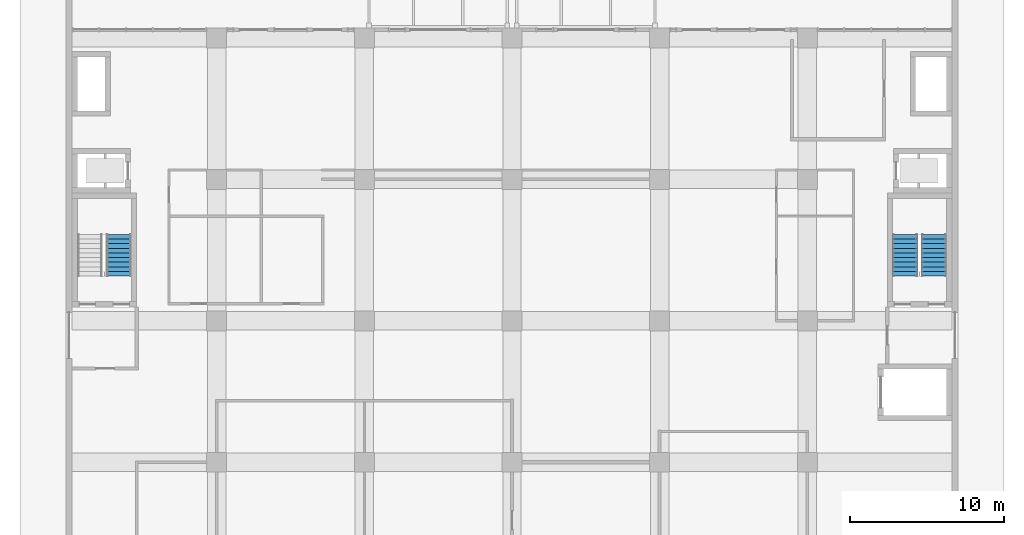
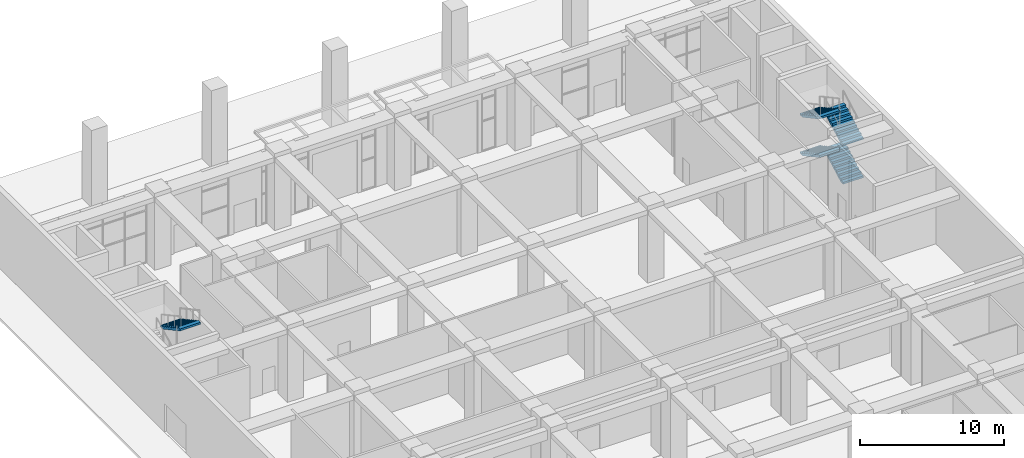
# One storey, part 25 of 45: 5 stair flights, 2 elements without a shape of their own.
"""IFC4 building model written with IfcOpenShell, lengths in metres."""

from ifc_helpers import new_model, si_unit, direction, frame, origin, place, context, subcontext, project, spatial, polyline, outline, extrude, material, type_object, element, aggregate, save


model = new_model("IFC4")

# Units and contexts
model_context = context("Model", 3, precision=1e-05, world=origin(), true_north=direction((0.0, 1.0)))
body_context = subcontext(model_context, "Body", "Model", "MODEL_VIEW")
ifc_project = project(units=[si_unit("LENGTHUNIT", "METRE"), si_unit("AREAUNIT", "SQUARE_METRE"), si_unit("VOLUMEUNIT", "CUBIC_METRE"), si_unit("PLANEANGLEUNIT", "RADIAN"), si_unit("MASSUNIT", "GRAM", prefix="KILO")], contexts=[model_context])

# Site, building, storey
site_placement = place(None, origin())
site = spatial("IfcSite", under=ifc_project, at=site_placement, CompositionType="ELEMENT")
building_placement = place(site_placement, origin())
building = spatial("IfcBuilding", under=site, at=building_placement, Name="Nzadi Deep Aquarium and Research Tower", CompositionType="ELEMENT")
storey_placement = place(building_placement, origin())
storey = spatial("IfcBuildingStorey", under=building, at=storey_placement, Name="G", CompositionType="ELEMENT", Elevation=0.0)

# Stair, stair flight
ifc_material_1 = material(Name="Concrete C35/45", Category="concrete")
stair_type = type_object("IfcStairType", Name="STAIR RETURN 3000", PredefinedType="NOTDEFINED", material=ifc_material_1)
stair_1_placement = place(storey_placement, origin())
stair_1 = element("IfcStair", 1, at=stair_1_placement, inside=storey, type_object=stair_type, Name="Stair ST-Z3-W G", PredefinedType="DOUBLE_RETURN_STAIR")
ifc_material_2 = material(Name="Concrete C35/45", Category="concrete")
stair_flight_type = type_object("IfcStairFlightType", Name="FLIGHT 1625 10 RISERS 162.5", PredefinedType="STRAIGHT", material=ifc_material_2)
stair_flight_1_placement = place(storey_placement, frame((3.237548828125, 118.81005859375, 4.875), z_axis=(0.0, 0.0, 1.0), x_axis=(0.0, -1.0, 0.0)))
stair_flight_1 = element("IfcStairFlight", 2, at=stair_flight_1_placement, type_object=stair_flight_type, Name="ST-Z3-W flight 4", NumberOfRisers=10, NumberOfTreads=9, PredefinedType="STRAIGHT", RiserHeight=0.1625, TreadLength=0.3, context=body_context, shape_type="SweptSolid", body=[
    extrude(outline(polyline([(0.0, 0.0), (0.0, 0.16259765625), (0.300048828125, 0.16259765625), (0.300048828125, 0.324951171875), (0.60009765625, 0.324951171875), (0.60009765625, 0.487548828125), (0.89990234375, 0.487548828125), (0.89990234375, 0.64990234375), (1.199951171875, 0.64990234375), (1.199951171875, 0.8125), (1.5, 0.8125), (1.5, 0.97509765625), (1.800048828125, 0.97509765625), (1.800048828125, 1.137451171875), (2.10009765625, 1.137451171875), (2.10009765625, 1.300048828125), (2.39990234375, 1.300048828125), (2.39990234375, 1.46240234375), (2.699951171875, 1.46240234375), (2.699951171875, 1.625), (2.699951171875, 1.2919921875), (0.314697265625, 0.0), (0.0, 0.0)])), frame((0.0, 0.8125, 0.0), z_axis=(0.0, -1.0, 0.0), x_axis=(1.0, 0.0, 0.0)), (0.0, 0.0, 1.0), 1.625),
])
aggregate(stair_1, [stair_flight_1])

# Stair, stair flights
stair_2_placement = place(storey_placement, origin())
stair_2 = element("IfcStair", 3, at=stair_2_placement, inside=storey, type_object=stair_type, Name="Stair ST-Z3-E G", PredefinedType="DOUBLE_RETURN_STAIR")
stair_flight_2_placement = place(storey_placement, frame((56.237548828125, 116.110107421875, 0.0), z_axis=(0.0, 0.0, 1.0), x_axis=(0.0, 1.0, 0.0)))
stair_flight_2 = element("IfcStairFlight", 4, at=stair_flight_2_placement, type_object=stair_flight_type, Name="ST-Z3-E flight 1", NumberOfRisers=10, NumberOfTreads=9, PredefinedType="STRAIGHT", RiserHeight=0.1625, TreadLength=0.3, context=body_context, shape_type="SweptSolid", body=[
    extrude(outline(polyline([(0.0, 0.0), (0.0, 0.16259765625), (0.300048828125, 0.16259765625), (0.300048828125, 0.324951171875), (0.60009765625, 0.324951171875), (0.60009765625, 0.487548828125), (0.89990234375, 0.487548828125), (0.89990234375, 0.64990234375), (1.199951171875, 0.64990234375), (1.199951171875, 0.8125), (1.5, 0.8125), (1.5, 0.97509765625), (1.800048828125, 0.97509765625), (1.800048828125, 1.137451171875), (2.10009765625, 1.137451171875), (2.10009765625, 1.300048828125), (2.39990234375, 1.300048828125), (2.39990234375, 1.46240234375), (2.699951171875, 1.46240234375), (2.699951171875, 1.625), (2.699951171875, 1.2919921875), (0.314697265625, 0.0), (0.0, 0.0)])), frame((0.0, 0.8125, 0.0), z_axis=(0.0, -1.0, 0.0), x_axis=(1.0, 0.0, 0.0)), (0.0, 0.0, 1.0), 1.625),
])
stair_flight_3_placement = place(storey_placement, frame((54.362548828125, 118.81005859375, 1.625), z_axis=(0.0, 0.0, 1.0), x_axis=(0.0, -1.0, 0.0)))
stair_flight_3 = element("IfcStairFlight", 5, at=stair_flight_3_placement, type_object=stair_flight_type, Name="ST-Z3-E flight 2", NumberOfRisers=10, NumberOfTreads=9, PredefinedType="STRAIGHT", RiserHeight=0.1625, TreadLength=0.3, context=body_context, shape_type="SweptSolid", body=[
    extrude(outline(polyline([(0.0, 0.0), (0.0, 0.16259765625), (0.300048828125, 0.16259765625), (0.300048828125, 0.324951171875), (0.60009765625, 0.324951171875), (0.60009765625, 0.487548828125), (0.89990234375, 0.487548828125), (0.89990234375, 0.64990234375), (1.199951171875, 0.64990234375), (1.199951171875, 0.8125), (1.5, 0.8125), (1.5, 0.97509765625), (1.800048828125, 0.97509765625), (1.800048828125, 1.137451171875), (2.10009765625, 1.137451171875), (2.10009765625, 1.300048828125), (2.39990234375, 1.300048828125), (2.39990234375, 1.46240234375), (2.699951171875, 1.46240234375), (2.699951171875, 1.625), (2.699951171875, 1.2919921875), (0.314697265625, 0.0), (0.0, 0.0)])), frame((0.0, 0.8125, 0.0), z_axis=(0.0, -1.0, 0.0), x_axis=(1.0, 0.0, 0.0)), (0.0, 0.0, 1.0), 1.625),
])
stair_flight_4_placement = place(storey_placement, frame((56.237548828125, 116.110107421875, 3.25), z_axis=(0.0, 0.0, 1.0), x_axis=(0.0, 1.0, 0.0)))
stair_flight_4 = element("IfcStairFlight", 6, at=stair_flight_4_placement, type_object=stair_flight_type, Name="ST-Z3-E flight 3", NumberOfRisers=10, NumberOfTreads=9, PredefinedType="STRAIGHT", RiserHeight=0.1625, TreadLength=0.3, context=body_context, shape_type="SweptSolid", body=[
    extrude(outline(polyline([(0.0, 0.0), (0.0, 0.16259765625), (0.300048828125, 0.16259765625), (0.300048828125, 0.324951171875), (0.60009765625, 0.324951171875), (0.60009765625, 0.487548828125), (0.89990234375, 0.487548828125), (0.89990234375, 0.64990234375), (1.199951171875, 0.64990234375), (1.199951171875, 0.8125), (1.5, 0.8125), (1.5, 0.97509765625), (1.800048828125, 0.97509765625), (1.800048828125, 1.137451171875), (2.10009765625, 1.137451171875), (2.10009765625, 1.300048828125), (2.39990234375, 1.300048828125), (2.39990234375, 1.46240234375), (2.699951171875, 1.46240234375), (2.699951171875, 1.625), (2.699951171875, 1.2919921875), (0.314697265625, 0.0), (0.0, 0.0)])), frame((0.0, 0.8125, 0.0), z_axis=(0.0, -1.0, 0.0), x_axis=(1.0, 0.0, 0.0)), (0.0, 0.0, 1.0), 1.625),
])
stair_flight_5_placement = place(storey_placement, frame((54.362548828125, 118.81005859375, 4.875), z_axis=(0.0, 0.0, 1.0), x_axis=(0.0, -1.0, 0.0)))
stair_flight_5 = element("IfcStairFlight", 7, at=stair_flight_5_placement, type_object=stair_flight_type, Name="ST-Z3-E flight 4", NumberOfRisers=10, NumberOfTreads=9, PredefinedType="STRAIGHT", RiserHeight=0.1625, TreadLength=0.3, context=body_context, shape_type="SweptSolid", body=[
    extrude(outline(polyline([(0.0, 0.0), (0.0, 0.16259765625), (0.300048828125, 0.16259765625), (0.300048828125, 0.324951171875), (0.60009765625, 0.324951171875), (0.60009765625, 0.487548828125), (0.89990234375, 0.487548828125), (0.89990234375, 0.64990234375), (1.199951171875, 0.64990234375), (1.199951171875, 0.8125), (1.5, 0.8125), (1.5, 0.97509765625), (1.800048828125, 0.97509765625), (1.800048828125, 1.137451171875), (2.10009765625, 1.137451171875), (2.10009765625, 1.300048828125), (2.39990234375, 1.300048828125), (2.39990234375, 1.46240234375), (2.699951171875, 1.46240234375), (2.699951171875, 1.625), (2.699951171875, 1.2919921875), (0.314697265625, 0.0), (0.0, 0.0)])), frame((0.0, 0.8125, 0.0), z_axis=(0.0, -1.0, 0.0), x_axis=(1.0, 0.0, 0.0)), (0.0, 0.0, 1.0), 1.625),
])
aggregate(stair_2, [stair_flight_2, stair_flight_3, stair_flight_4, stair_flight_5])

save(model, "model.ifc")
